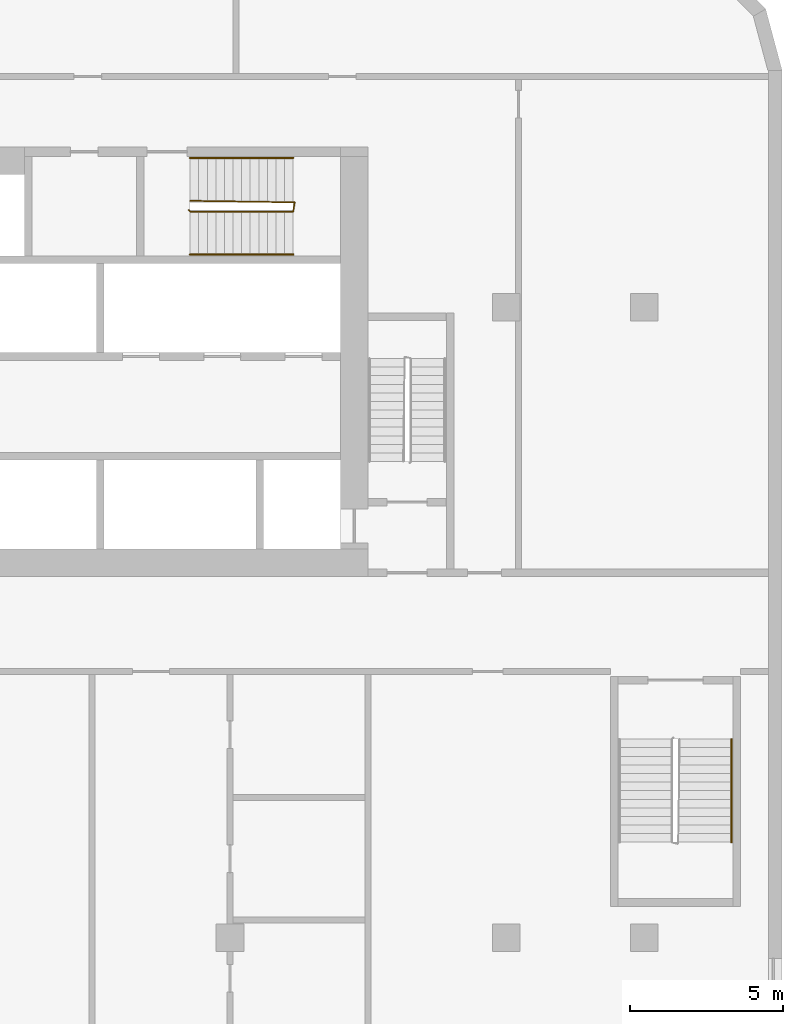
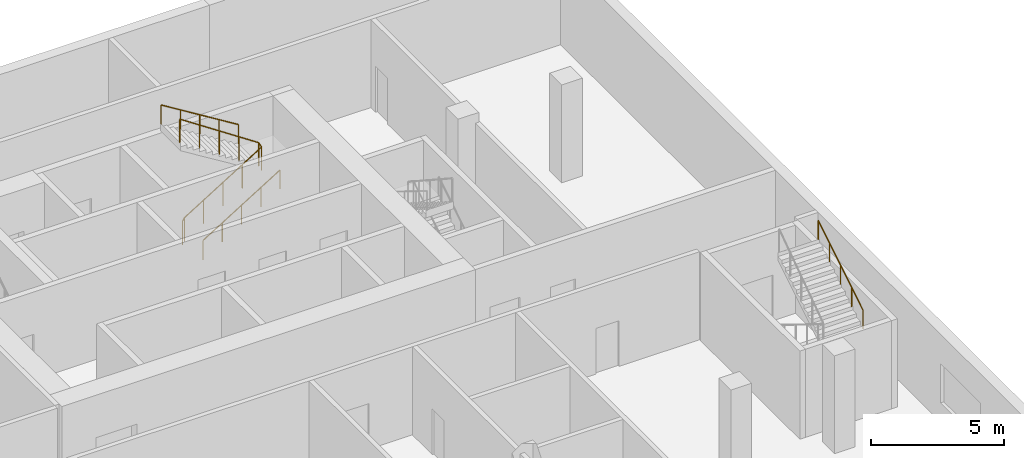
# One storey, part 15 of 15: 4 railings.
"""IFC4 building model written with IfcOpenShell, lengths in metres."""

from ifc_helpers import new_model, si_unit, direction, frame, origin, origin_2d, place, context, subcontext, project, spatial, circle, extrude, material, type_object, element, save


model = new_model("IFC4")

# Units and contexts
model_context = context("Model", 3, precision=1e-05, world=origin(), true_north=direction((0.0, 1.0)))
body_context = subcontext(model_context, "Body", "Model", "MODEL_VIEW")
ifc_project = project(units=[si_unit("LENGTHUNIT", "METRE"), si_unit("AREAUNIT", "SQUARE_METRE"), si_unit("VOLUMEUNIT", "CUBIC_METRE"), si_unit("PLANEANGLEUNIT", "RADIAN"), si_unit("MASSUNIT", "GRAM", prefix="KILO")], contexts=[model_context])

# Site, building, storey
site_placement = place(None, origin())
site = spatial("IfcSite", under=ifc_project, at=site_placement, CompositionType="ELEMENT")
building_placement = place(site_placement, origin())
building = spatial("IfcBuilding", under=site, at=building_placement, Name="Kajstack Hotel Tower", CompositionType="ELEMENT")
storey_placement = place(building_placement, frame((0.0, 0.0, 29.0)))
storey = spatial("IfcBuildingStorey", under=building, at=storey_placement, Name="L04", CompositionType="ELEMENT", Elevation=29.0)

# Railings
ifc_material = material(Name="Steel S355J2", Category="steel")
railing_type_1 = type_object("IfcRailingType", Name="Stair guard 1100", PredefinedType="GUARDRAIL", material=ifc_material)
railing_1_placement = place(storey_placement, frame((25.64990234375, 13.449951171875, 0.0)))
element("IfcRailing", 1, at=railing_1_placement, inside=storey, type_object=railing_type_1, Name="L04 E3 stair guard 1", PredefinedType="GUARDRAIL", context=body_context, shape_type="SweptSolid", body=[
    extrude(circle(Radius=0.02392578125, at=origin_2d()), frame((0.0, 0.0, 1.076171875), z_axis=(0.267629722418, -0.267629722418, 0.925607186314), x_axis=(0.707106781187, 0.707106781187, 0.0)), (0.0, 0.0, 1.0), 0.18701171875),
    extrude(circle(Radius=0.02392578125, at=origin_2d()), frame((0.050048828125, -0.050048828125, 1.2490234375), z_axis=(0.850623216509, 0.0, 0.525775754039), x_axis=(0.0, 1.0, 0.0)), (0.0, 0.0, 1.0), 3.9501953125),
    extrude(circle(Radius=0.02392578125, at=origin_2d()), frame((3.41015625, -0.050048828125, 3.326171875), z_axis=(0.164529134168, 0.986372223864, 0.0), x_axis=(-0.986372223864, 0.164529134168, 0.0)), (0.0, 0.0, 1.0), 0.30419921875),
    extrude(circle(Radius=0.02392578125, at=origin_2d()), frame((3.460205078125, 0.25, 3.326171875), z_axis=(-0.834625896233, 0.01224930618, 0.5506810037), x_axis=(-0.014674822837, -0.99989231899, 0.0)), (0.0, 0.0, 1.0), 4.0859375),
    extrude(circle(Radius=0.02099609375, at=origin_2d()), origin(), (0.0, 0.0, 1.0), 1.052001953125),
    extrude(circle(Radius=0.02099609375, at=origin_2d()), frame((0.050048828125, -0.050048828125, 0.173095703125)), (0.0, 0.0, 1.0), 1.052001953125),
    extrude(circle(Radius=0.02099609375, at=origin_2d()), frame((0.89013671875, -0.050048828125, 0.6923828125)), (0.0, 0.0, 1.0), 1.052001953125),
    extrude(circle(Radius=0.02099609375, at=origin_2d()), frame((1.72998046875, -0.050048828125, 1.21142578125)), (0.0, 0.0, 1.0), 1.052001953125),
    extrude(circle(Radius=0.02099609375, at=origin_2d()), frame((2.570068359375, -0.050048828125, 1.730712890625)), (0.0, 0.0, 1.0), 1.052001953125),
    extrude(circle(Radius=0.02099609375, at=origin_2d()), frame((3.41015625, -0.050048828125, 2.25)), (0.0, 0.0, 1.0), 1.052001953125),
    extrude(circle(Radius=0.02099609375, at=origin_2d()), frame((3.460205078125, 0.25, 2.25)), (0.0, 0.0, 1.0), 1.052001953125),
    extrude(circle(Radius=0.02099609375, at=origin_2d()), frame((2.607666015625, 0.262451171875, 2.8125)), (0.0, 0.0, 1.0), 1.052001953125),
    extrude(circle(Radius=0.02099609375, at=origin_2d()), frame((1.755126953125, 0.27490234375, 3.375)), (0.0, 0.0, 1.0), 1.052001953125),
    extrude(circle(Radius=0.02099609375, at=origin_2d()), frame((0.902587890625, 0.28759765625, 3.9375)), (0.0, 0.0, 1.0), 1.052001953125),
    extrude(circle(Radius=0.02099609375, at=origin_2d()), frame((0.050048828125, 0.300048828125, 4.5)), (0.0, 0.0, 1.0), 1.052001953125),
])
railing_type_2 = type_object("IfcRailingType", Name="Stair handrail 900", PredefinedType="HANDRAIL", material=ifc_material)
railing_2_placement = place(storey_placement, frame((25.699951171875, 12.0, 0.173095703125)))
element("IfcRailing", 2, at=railing_2_placement, inside=storey, type_object=railing_type_2, Name="L04 E3 stair handrail 1", PredefinedType="HANDRAIL", context=body_context, shape_type="SweptSolid", body=[
    extrude(circle(Radius=0.02392578125, at=origin_2d()), frame((0.0, 0.0, 0.8759765625), z_axis=(0.850623216509, 0.0, 0.525775754039), x_axis=(0.0, 1.0, 0.0)), (0.0, 0.0, 1.0), 3.9501953125),
    extrude(circle(Radius=0.02099609375, at=origin_2d()), origin(), (0.0, 0.0, 1.0), 0.851806640625),
    extrude(circle(Radius=0.02099609375, at=origin_2d()), frame((0.840087890625, 0.0, 0.519287109375)), (0.0, 0.0, 1.0), 0.851806640625),
    extrude(circle(Radius=0.02099609375, at=origin_2d()), frame((1.68017578125, 0.0, 1.03857421875)), (0.0, 0.0, 1.0), 0.851806640625),
    extrude(circle(Radius=0.02099609375, at=origin_2d()), frame((2.52001953125, 0.0, 1.5576171875)), (0.0, 0.0, 1.0), 0.851806640625),
    extrude(circle(Radius=0.02099609375, at=origin_2d()), frame((3.360107421875, 0.0, 2.076904296875)), (0.0, 0.0, 1.0), 0.851806640625),
])
railing_3_placement = place(storey_placement, frame((29.06005859375, 15.14990234375, 2.423095703125)))
element("IfcRailing", 3, at=railing_3_placement, inside=storey, type_object=railing_type_2, Name="L04 E3 stair handrail 2", PredefinedType="HANDRAIL", context=body_context, shape_type="SweptSolid", body=[
    extrude(circle(Radius=0.02392578125, at=origin_2d()), frame((0.0, 0.0, 0.8759765625), z_axis=(-0.850623216509, 0.0, 0.525775754039), x_axis=(0.0, -1.0, 0.0)), (0.0, 0.0, 1.0), 3.9501953125),
    extrude(circle(Radius=0.02099609375, at=origin_2d()), origin(), (0.0, 0.0, 1.0), 0.851806640625),
    extrude(circle(Radius=0.02099609375, at=origin_2d()), frame((-0.840087890625, 0.0, 0.519287109375)), (0.0, 0.0, 1.0), 0.851806640625),
    extrude(circle(Radius=0.02099609375, at=origin_2d()), frame((-1.68017578125, 0.0, 1.03857421875)), (0.0, 0.0, 1.0), 0.851806640625),
    extrude(circle(Radius=0.02099609375, at=origin_2d()), frame((-2.52001953125, 0.0, 1.5576171875)), (0.0, 0.0, 1.0), 0.851806640625),
    extrude(circle(Radius=0.02099609375, at=origin_2d()), frame((-3.360107421875, 0.0, 2.076904296875)), (0.0, 0.0, 1.0), 0.851806640625),
])
railing_4_placement = place(storey_placement, frame((43.35009765625, -7.159912109375, 2.423095703125)))
element("IfcRailing", 4, at=railing_4_placement, inside=storey, type_object=railing_type_2, Name="L04 P2 stair handrail 2", PredefinedType="HANDRAIL", context=body_context, shape_type="SweptSolid", body=[
    extrude(circle(Radius=0.02392578125, at=origin_2d()), frame((0.0, 0.0, 0.8759765625), z_axis=(0.0, 0.850606129759, 0.525803396734), x_axis=(-1.0, 0.0, 0.0)), (0.0, 0.0, 1.0), 3.949951171875),
    extrude(circle(Radius=0.02099609375, at=origin_2d()), origin(), (0.0, 0.0, 1.0), 0.851806640625),
    extrude(circle(Radius=0.02099609375, at=origin_2d()), frame((0.0, 0.83984375, 0.519287109375)), (0.0, 0.0, 1.0), 0.851806640625),
    extrude(circle(Radius=0.02099609375, at=origin_2d()), frame((0.0, 1.679931640625, 1.03857421875)), (0.0, 0.0, 1.0), 0.851806640625),
    extrude(circle(Radius=0.02099609375, at=origin_2d()), frame((0.0, 2.52001953125, 1.5576171875)), (0.0, 0.0, 1.0), 0.851806640625),
    extrude(circle(Radius=0.02099609375, at=origin_2d()), frame((0.0, 3.35986328125, 2.076904296875)), (0.0, 0.0, 1.0), 0.851806640625),
])

save(model, "model.ifc")
